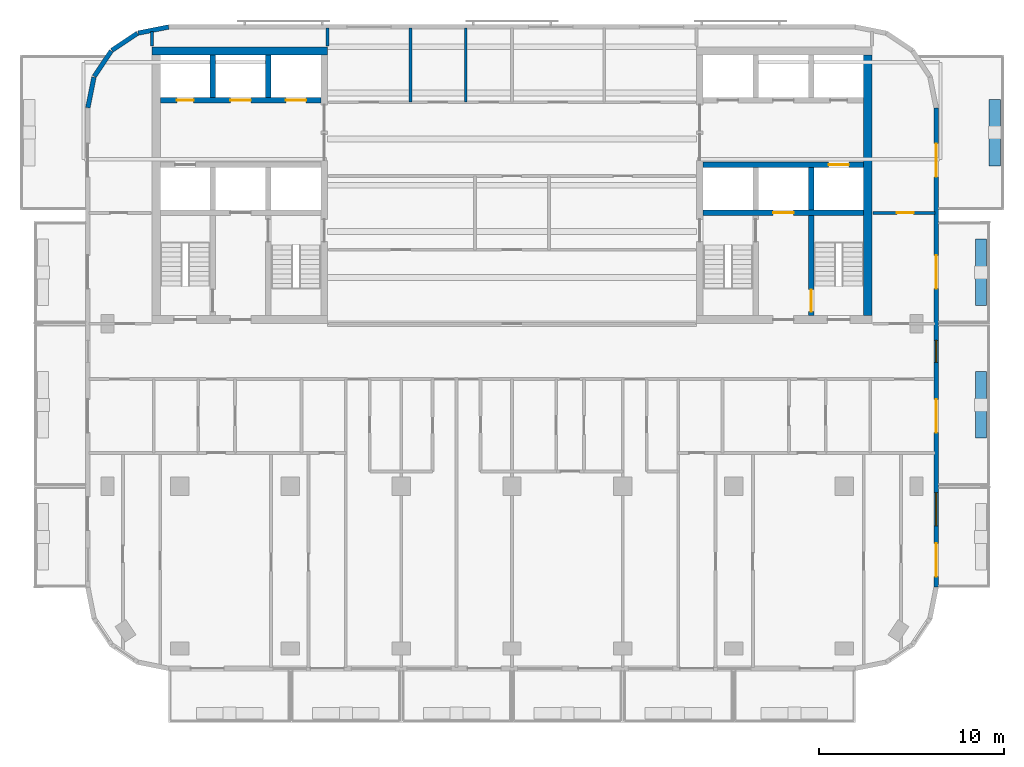
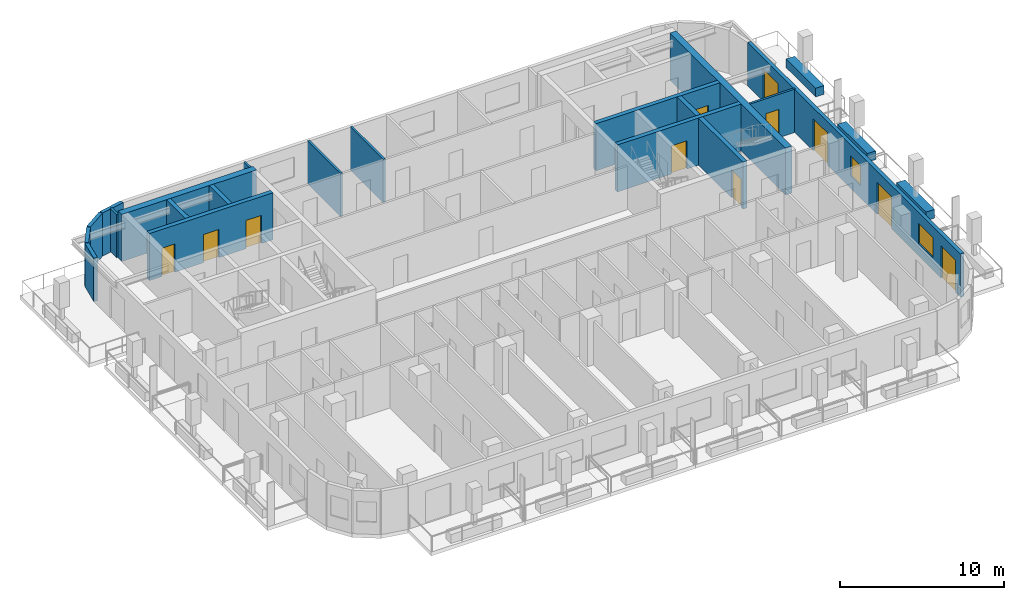
# One storey, part 6 of 11: 22 walls, 11 doors, 2 windows, 13 openings.
"""IFC4 building model written with IfcOpenShell, lengths in metres."""

from ifc_helpers import new_model, si_unit, direction, frame, frame_2d, origin, place, context, subcontext, project, spatial, rectangle, extrude, material, layer, layer_set, type_object, element, fill, save


model = new_model("IFC4")

# Units and contexts
model_context = context("Model", 3, precision=1e-05, world=origin(), true_north=direction((0.0, 1.0)))
body_context = subcontext(model_context, "Body", "Model", "MODEL_VIEW")
ifc_project = project(units=[si_unit("LENGTHUNIT", "METRE"), si_unit("AREAUNIT", "SQUARE_METRE"), si_unit("VOLUMEUNIT", "CUBIC_METRE"), si_unit("PLANEANGLEUNIT", "RADIAN"), si_unit("MASSUNIT", "GRAM", prefix="KILO")], contexts=[model_context])

# Site, building, storey
site_placement = place(None, origin())
site = spatial("IfcSite", under=ifc_project, at=site_placement, CompositionType="ELEMENT")
building_placement = place(site_placement, origin())
building = spatial("IfcBuilding", under=site, at=building_placement, Name="Torana Hotel and Residences", CompositionType="ELEMENT")
storey_placement = place(building_placement, frame((0.0, 0.0, 270.10009765625)))
storey = spatial("IfcBuildingStorey", under=building, at=storey_placement, Name="L71", CompositionType="ELEMENT", Elevation=270.10009765625)

# Wall, openings, doors
ifc_material_1 = material(Name="Concrete C60/75", Category="concrete")
ifc_layer_1 = layer(ifc_material_1, 0.300048828125)
ifc_layer_set_1 = layer_set([ifc_layer_1], Name="CORE WALL 300 C60/75")
wall_type_1 = type_object("IfcWallType", Name="CORE WALL 300 C60/75", PredefinedType="SHEAR", material=ifc_layer_set_1)
wall_1_placement = place(storey_placement, frame((-19.050048828125, -2.89990234375, 0.0), z_axis=(0.0, 0.0, 1.0), x_axis=(1.0, 0.0, 0.0)))
wall_1 = element("IfcWall", 1, at=wall_1_placement, inside=storey, type_object=wall_type_1, Name="Core wall W row-N", PredefinedType="SHEAR", context=body_context, shape_type="SweptSolid", body=[
    extrude(rectangle(XDim=8.699951171875, YDim=0.300048828125, at=frame_2d((4.35009765625, 0.0))), origin(), (0.0, 0.0, 1.0), 3.5),
])
opening_1_placement = place(wall_1_placement, frame((6.800048828125, 0.0, 0.0)))
opening_1 = element("IfcOpeningElement", 2, at=opening_1_placement, cuts=wall_1, Name="Opening LD", PredefinedType="OPENING", context=body_context, shape_type="SweptSolid", body=[
    extrude(rectangle(XDim=1.10009765625, YDim=2.10009765625, at=frame_2d((0.550048828125, 1.050048828125))), frame((0.0, 0.159912109375, 0.0), z_axis=(0.0, -1.0, 0.0), x_axis=(1.0, 0.0, 0.0)), (0.0, 0.0, 1.0), 0.320068359375),
])
opening_2_placement = place(wall_1_placement, frame((3.800048828125, 0.0, 0.0)))
opening_2 = element("IfcOpeningElement", 3, at=opening_2_placement, cuts=wall_1, Name="Opening LD", PredefinedType="OPENING", context=body_context, shape_type="SweptSolid", body=[
    extrude(rectangle(XDim=1.10009765625, YDim=2.10009765625, at=frame_2d((0.550048828125, 1.050048828125))), frame((0.0, 0.159912109375, 0.0), z_axis=(0.0, -1.0, 0.0), x_axis=(1.0, 0.0, 0.0)), (0.0, 0.0, 1.0), 0.320068359375),
])
opening_3_placement = place(wall_1_placement, frame((0.89990234375, 0.0, 0.0)))
opening_3 = element("IfcOpeningElement", 4, at=opening_3_placement, cuts=wall_1, Name="Opening L71-06", PredefinedType="OPENING", context=body_context, shape_type="SweptSolid", body=[
    extrude(rectangle(XDim=0.89990234375, YDim=2.10009765625, at=frame_2d((0.449951171875, 1.050048828125))), frame((0.0, 0.159912109375, 0.0), z_axis=(0.0, -1.0, 0.0), x_axis=(1.0, 0.0, 0.0)), (0.0, 0.0, 1.0), 0.320068359375),
])
ifc_material_2 = material(Name="Stainless steel 316", Category="steel")
door_type_1 = type_object("IfcDoorType", Name="LIFT LANDING DOOR LD 1100x2100", OperationType="DOUBLE_DOOR_SLIDING", PredefinedType="USERDEFINED", material=ifc_material_2)
door_1_placement = place(opening_1_placement, origin())
door_1 = element("IfcDoor", 5, at=door_1_placement, inside=storey, type_object=door_type_1, Name="Lift landing door H1 L71", ObjectType="LIFT LANDING DOOR", OperationType="DOUBLE_DOOR_SLIDING", OverallHeight=2.10009765625, OverallWidth=1.10009765625, PredefinedType="USERDEFINED", context=body_context, shape_type="SweptSolid", body=[
    extrude(rectangle(XDim=1.10009765625, YDim=2.10009765625, at=frame_2d((0.550048828125, 1.050048828125))), frame((0.0, 0.02490234375, 0.0), z_axis=(0.0, -1.0, 0.0), x_axis=(1.0, 0.0, 0.0)), (0.0, 0.0, 1.0), 0.050048828125),
])
fill(opening_1, door_1)
door_2_placement = place(opening_2_placement, origin())
door_2 = element("IfcDoor", 6, at=door_2_placement, inside=storey, type_object=door_type_1, Name="Lift landing door H2 L71", ObjectType="LIFT LANDING DOOR", OperationType="DOUBLE_DOOR_SLIDING", OverallHeight=2.10009765625, OverallWidth=1.10009765625, PredefinedType="USERDEFINED", context=body_context, shape_type="SweptSolid", body=[
    extrude(rectangle(XDim=1.10009765625, YDim=2.10009765625, at=frame_2d((0.550048828125, 1.050048828125))), frame((0.0, 0.02490234375, 0.0), z_axis=(0.0, -1.0, 0.0), x_axis=(1.0, 0.0, 0.0)), (0.0, 0.0, 1.0), 0.050048828125),
])
fill(opening_2, door_2)
ifc_material_3 = material(Name="Steel S235", Category="steel")
door_type_2 = type_object("IfcDoorType", Name="RISER ACCESS DOOR D5 900x2100", OperationType="SINGLE_SWING_LEFT", PredefinedType="DOOR", material=ifc_material_3)
door_3_placement = place(opening_3_placement, origin())
door_3 = element("IfcDoor", 7, at=door_3_placement, inside=storey, type_object=door_type_2, Name="N2 door L71", OperationType="SINGLE_SWING_RIGHT", OverallHeight=2.10009765625, OverallWidth=0.89990234375, PredefinedType="DOOR", context=body_context, shape_type="SweptSolid", body=[
    extrude(rectangle(XDim=0.89990234375, YDim=2.10009765625, at=frame_2d((0.449951171875, 1.050048828125))), frame((0.0, 0.02490234375, 0.0), z_axis=(0.0, -1.0, 0.0), x_axis=(1.0, 0.0, 0.0)), (0.0, 0.0, 1.0), 0.050048828125),
])
fill(opening_3, door_3)

# Walls
for number, where, z_axis, x_axis, name in (
    (8, (-13.199951171875, -2.75, 0.0), (0.0, 0.0, 1.0), (0.0, 1.0, 0.0), "Core wall W x3.05-N"),
    (9, (-16.199951171875, -2.75, 0.0), (0.0, 0.0, 1.0), (0.0, 1.0, 0.0), "Core wall W x6.05-N"),
):
    element("IfcWall", number, at=place(storey_placement, frame(where, z_axis=z_axis, x_axis=x_axis)), inside=storey, type_object=wall_type_1, Name=name, PredefinedType="SHEAR", context=body_context, shape_type="SweptSolid", body=[
        extrude(rectangle(XDim=2.300048828125, YDim=0.300048828125, at=frame_2d((1.14990234375, 0.0))), origin(), (0.0, 0.0, 1.0), 3.5),
    ])

# Wall, opening, door
wall_2_placement = place(storey_placement, frame((10.35009765625, -6.39990234375, 0.0), z_axis=(0.0, 0.0, 1.0), x_axis=(1.0, 0.0, 0.0)))
wall_2 = element("IfcWall", 10, at=wall_2_placement, inside=storey, type_object=wall_type_1, Name="Core wall E row-S", PredefinedType="SHEAR", context=body_context, shape_type="SweptSolid", body=[
    extrude(rectangle(XDim=8.699951171875, YDim=0.300048828125, at=frame_2d((4.35009765625, 0.0))), origin(), (0.0, 0.0, 1.0), 3.5),
])
opening_4_placement = place(wall_2_placement, frame((6.800048828125, 0.0, 0.0)))
opening_4 = element("IfcOpeningElement", 11, at=opening_4_placement, cuts=wall_2, Name="Opening LD", PredefinedType="OPENING", context=body_context, shape_type="SweptSolid", body=[
    extrude(rectangle(XDim=1.10009765625, YDim=2.10009765625, at=frame_2d((0.550048828125, 1.050048828125))), frame((0.0, 0.159912109375, 0.0), z_axis=(0.0, -1.0, 0.0), x_axis=(1.0, 0.0, 0.0)), (0.0, 0.0, 1.0), 0.320068359375),
])
door_4_placement = place(opening_4_placement, origin())
door_4 = element("IfcDoor", 12, at=door_4_placement, inside=storey, type_object=door_type_1, Name="Lift landing door SV2 L71", ObjectType="LIFT LANDING DOOR", OperationType="DOUBLE_DOOR_SLIDING", OverallHeight=2.10009765625, OverallWidth=1.10009765625, PredefinedType="USERDEFINED", context=body_context, shape_type="SweptSolid", body=[
    extrude(rectangle(XDim=1.10009765625, YDim=2.10009765625, at=frame_2d((0.550048828125, 1.050048828125))), frame((0.0, 0.02490234375, 0.0), z_axis=(0.0, -1.0, 0.0), x_axis=(1.0, 0.0, 0.0)), (0.0, 0.0, 1.0), 0.050048828125),
])
fill(opening_4, door_4)

wall_3_placement = place(storey_placement, frame((10.35009765625, -9.0, 0.0), z_axis=(0.0, 0.0, 1.0), x_axis=(1.0, 0.0, 0.0)))
wall_3 = element("IfcWall", 13, at=wall_3_placement, inside=storey, type_object=wall_type_1, Name="Core wall E band", PredefinedType="SHEAR", context=body_context, shape_type="SweptSolid", body=[
    extrude(rectangle(XDim=8.699951171875, YDim=0.300048828125, at=frame_2d((4.35009765625, 0.0))), origin(), (0.0, 0.0, 1.0), 3.5),
])
opening_5_placement = place(wall_3_placement, frame((3.800048828125, 0.0, 0.0)))
opening_5 = element("IfcOpeningElement", 14, at=opening_5_placement, cuts=wall_3, Name="Opening LD", PredefinedType="OPENING", context=body_context, shape_type="SweptSolid", body=[
    extrude(rectangle(XDim=1.10009765625, YDim=2.10009765625, at=frame_2d((0.550048828125, 1.050048828125))), frame((0.0, 0.159912109375, 0.0), z_axis=(0.0, -1.0, 0.0), x_axis=(1.0, 0.0, 0.0)), (0.0, 0.0, 1.0), 0.320068359375),
])
door_5_placement = place(opening_5_placement, origin())
door_5 = element("IfcDoor", 15, at=door_5_placement, inside=storey, type_object=door_type_1, Name="Lift landing door FF2 L71", ObjectType="LIFT LANDING DOOR", OperationType="DOUBLE_DOOR_SLIDING", OverallHeight=2.10009765625, OverallWidth=1.10009765625, PredefinedType="USERDEFINED", context=body_context, shape_type="SweptSolid", body=[
    extrude(rectangle(XDim=1.10009765625, YDim=2.10009765625, at=frame_2d((0.550048828125, 1.050048828125))), frame((0.0, 0.02490234375, 0.0), z_axis=(0.0, -1.0, 0.0), x_axis=(1.0, 0.0, 0.0)), (0.0, 0.0, 1.0), 0.050048828125),
])
fill(opening_5, door_5)

# Wall
wall_4_placement = place(storey_placement, frame((16.199951171875, -8.85009765625, 0.0), z_axis=(0.0, 0.0, 1.0), x_axis=(0.0, 1.0, 0.0)))
element("IfcWall", 16, at=wall_4_placement, inside=storey, type_object=wall_type_1, Name="Core wall E x6.05-S", PredefinedType="SHEAR", context=body_context, shape_type="SweptSolid", body=[
    extrude(rectangle(XDim=2.300048828125, YDim=0.300048828125, at=frame_2d((1.14990234375, 0.0))), origin(), (0.0, 0.0, 1.0), 3.5),
])

# Wall, opening, door
wall_5_placement = place(storey_placement, frame((16.199951171875, -14.550048828125, 0.0), z_axis=(0.0, 0.0, 1.0), x_axis=(0.0, 1.0, 0.0)))
wall_5 = element("IfcWall", 17, at=wall_5_placement, inside=storey, type_object=wall_type_1, Name="Core wall E x6.05-band", PredefinedType="SHEAR", context=body_context, shape_type="SweptSolid", body=[
    extrude(rectangle(XDim=5.400146484375, YDim=0.300048828125, at=frame_2d((2.7001953125, 0.0))), origin(), (0.0, 0.0, 1.0), 3.5),
])
opening_6_placement = place(wall_5_placement, frame((0.199951171875, 0.0, 0.0)))
opening_6 = element("IfcOpeningElement", 18, at=opening_6_placement, cuts=wall_5, Name="Opening L71-16", PredefinedType="OPENING", context=body_context, shape_type="SweptSolid", body=[
    extrude(rectangle(XDim=1.199951171875, YDim=2.10009765625, at=frame_2d((0.60009765625, 1.050048828125))), frame((0.0, 0.159912109375, 0.0), z_axis=(0.0, -1.0, 0.0), x_axis=(1.0, 0.0, 0.0)), (0.0, 0.0, 1.0), 0.320068359375),
])
ifc_material_4 = material(Name="Steel S235", Category="steel")
door_type_3 = type_object("IfcDoorType", Name="STAIR FIRE DOOR D3 1200x2100", OperationType="SINGLE_SWING_LEFT", PredefinedType="DOOR", material=ifc_material_4)
door_6_placement = place(opening_6_placement, frame((0.60009765625, 0.0, 0.0), z_axis=(0.0, 0.0, 1.0), x_axis=(-1.0, 0.0, 0.0)))
door_6 = element("IfcDoor", 19, at=door_6_placement, inside=storey, type_object=door_type_3, Name="Stair-B-lobby door L71", OperationType="SINGLE_SWING_LEFT", OverallHeight=2.10009765625, OverallWidth=1.199951171875, PredefinedType="DOOR", context=body_context, shape_type="SweptSolid", body=[
    extrude(rectangle(XDim=1.199951171875, YDim=2.10009765625, at=frame_2d((0.0, 1.050048828125))), frame((0.0, -0.02490234375, 0.0), z_axis=(0.0, 1.0, 0.0), x_axis=(-1.0, 0.0, 0.0)), (0.0, 0.0, 1.0), 0.050048828125),
])
fill(opening_6, door_6)

# Walls
ifc_material_5 = material(Name="Concrete C60/75", Category="concrete")
ifc_layer_2 = layer(ifc_material_5, 0.449951171875)
ifc_layer_set_2 = layer_set([ifc_layer_2], Name="CORE WALL 450 C60/75")
wall_type_2 = type_object("IfcWallType", Name="CORE WALL 450 C60/75", PredefinedType="SHEAR", material=ifc_layer_set_2)
wall_6_placement = place(storey_placement, frame((-19.5, -0.22509765625, 0.0), z_axis=(0.0, 0.0, 1.0), x_axis=(1.0, 0.0, 0.0)))
element("IfcWall", 20, at=wall_6_placement, inside=storey, type_object=wall_type_2, Name="Core wall W rear", PredefinedType="SHEAR", context=body_context, shape_type="SweptSolid", body=[
    extrude(rectangle(XDim=9.5, YDim=0.449951171875, at=frame_2d((4.75, 0.0))), origin(), (0.0, 0.0, 1.0), 3.5),
])
wall_7_placement = place(storey_placement, frame((19.27490234375, -14.550048828125, 0.0), z_axis=(0.0, 0.0, 1.0), x_axis=(0.0, 1.0, 0.0)))
element("IfcWall", 21, at=wall_7_placement, inside=storey, type_object=wall_type_2, Name="Core wall E outer", PredefinedType="SHEAR", context=body_context, shape_type="SweptSolid", body=[
    extrude(rectangle(XDim=14.10009765625, YDim=0.449951171875, at=frame_2d((7.050048828125, 0.0))), origin(), (0.0, 0.0, 1.0), 3.5),
])
ifc_material_6 = material(Name="Black aluminium composite panel", Category="aluminium")
ifc_layer_3 = layer(ifc_material_6, 0.00390625, Name="Cladding", Category="cladding")
ifc_material_7 = material(Name="Ventilated air cavity")
ifc_layer_4 = layer(ifc_material_7, 0.0400390625, Name="Ventilated cavity", Category="cavity")
ifc_material_8 = material(Name="Mineral wool insulation")
ifc_layer_5 = layer(ifc_material_8, 0.090087890625, Name="Insulation", Category="insulation")
ifc_material_9 = material(Name="Steel S280GD", Category="steel")
ifc_layer_6 = layer(ifc_material_9, 0.092041015625, Name="Steel stud frame", Category="structure")
ifc_material_10 = material(Name="Fire rated plasterboard")
ifc_layer_7 = layer(ifc_material_10, 0.011962890625, Name="Inner board", Category="finish")
ifc_layer_8 = layer(ifc_material_10, 0.011962890625, Name="Second board", Category="finish")
ifc_layer_set_3 = layer_set([ifc_layer_3, ifc_layer_4, ifc_layer_5, ifc_layer_6, ifc_layer_7, ifc_layer_8], Name="EW1 EXTERNAL WALL BLACK METAL CLAD 250")
wall_type_3 = type_object("IfcWallType", Name="EW1 EXTERNAL WALL BLACK METAL CLAD 250", PredefinedType="SOLIDWALL", material=ifc_layer_set_3)
wall_8_placement = place(storey_placement, frame((-18.599853515625, 1.072509765625, 0.0), z_axis=(0.0, 0.0, 1.0), x_axis=(-0.980797896849, -0.195026884138, 0.0)))
element("IfcWall", 22, at=wall_8_placement, inside=storey, type_object=wall_type_3, Name="External wall L71 e0.5", PredefinedType="SOLIDWALL", context=body_context, shape_type="SweptSolid", body=[
    extrude(rectangle(XDim=1.68115234375, YDim=0.25, at=frame_2d((0.840576171875, 0.0))), origin(), (0.0, 0.0, 1.0), 3.219970703125),
])
for number, where, z_axis, x_axis, name in (
    (23, (-20.2939453125, 0.725830078125, 0.0), (0.0, 0.0, 1.0), (-0.831482937015, -0.55555029066, 0.0), "External wall L71 e0.6"),
    (24, (-21.705810546875, -0.228759765625, 0.0), (0.0, 0.0, 1.0), (-0.55555029066, -0.831482937015, 0.0), "External wall L71 e0.7"),
):
    element("IfcWall", number, at=place(storey_placement, frame(where, z_axis=z_axis, x_axis=x_axis)), inside=storey, type_object=wall_type_3, Name=name, PredefinedType="SOLIDWALL", context=body_context, shape_type="SweptSolid", body=[
        extrude(rectangle(XDim=1.65625, YDim=0.25, at=frame_2d((0.828125, 0.0))), origin(), (0.0, 0.0, 1.0), 3.219970703125),
    ])
wall_9_placement = place(storey_placement, frame((-22.64453125, -1.651123046875, 0.0), z_axis=(0.0, 0.0, 1.0), x_axis=(-0.19513878023, -0.980775640221, 0.0)))
element("IfcWall", 25, at=wall_9_placement, inside=storey, type_object=wall_type_3, Name="External wall L71 e0.8", PredefinedType="SOLIDWALL", context=body_context, shape_type="SweptSolid", body=[
    extrude(rectangle(XDim=1.681396484375, YDim=0.25, at=frame_2d((0.8408203125, 0.0))), origin(), (0.0, 0.0, 1.0), 3.219970703125),
])

# Wall, openings, doors, windows
wall_10_placement = place(storey_placement, frame((22.97509765625, -29.275390625, 0.0), z_axis=(0.0, 0.0, 1.0), x_axis=(0.0, 1.0, 0.0)))
wall_10 = element("IfcWall", 26, at=wall_10_placement, inside=storey, type_object=wall_type_3, Name="External wall L71 e0.19", PredefinedType="SOLIDWALL", context=body_context, shape_type="SweptSolid", body=[
    extrude(rectangle(XDim=25.95068359375, YDim=0.25, at=frame_2d((12.975341796875, 0.0))), origin(), (0.0, 0.0, 1.0), 3.219970703125),
])
opening_7_placement = place(wall_10_placement, frame((0.575439453125, 0.0, 0.0)))
opening_7 = element("IfcOpeningElement", 27, at=opening_7_placement, cuts=wall_10, Name="Opening L71-E07", PredefinedType="OPENING", context=body_context, shape_type="SweptSolid", body=[
    extrude(rectangle(XDim=1.800048828125, YDim=2.39990234375, at=frame_2d((0.89990234375, 1.199951171875))), frame((0.0, 0.135009765625, 0.0), z_axis=(0.0, -1.0, 0.0), x_axis=(1.0, 0.0, 0.0)), (0.0, 0.0, 1.0), 0.27001953125),
])
opening_8_placement = place(wall_10_placement, frame((3.325439453125, 0.0, 0.89990234375)))
opening_8 = element("IfcOpeningElement", 28, at=opening_8_placement, cuts=wall_10, Name="Opening W4", PredefinedType="OPENING", context=body_context, shape_type="SweptSolid", body=[
    extrude(rectangle(XDim=1.800048828125, YDim=1.5, at=frame_2d((0.89990234375, 0.75))), frame((0.0, 0.135009765625, 0.0), z_axis=(0.0, -1.0, 0.0), x_axis=(1.0, 0.0, 0.0)), (0.0, 0.0, 1.0), 0.27001953125),
])
opening_9_placement = place(wall_10_placement, frame((8.37548828125, 0.0, 0.0)))
opening_9 = element("IfcOpeningElement", 29, at=opening_9_placement, cuts=wall_10, Name="Opening L71-E08", PredefinedType="OPENING", context=body_context, shape_type="SweptSolid", body=[
    extrude(rectangle(XDim=1.800048828125, YDim=2.39990234375, at=frame_2d((0.89990234375, 1.199951171875))), frame((0.0, 0.135009765625, 0.0), z_axis=(0.0, -1.0, 0.0), x_axis=(1.0, 0.0, 0.0)), (0.0, 0.0, 1.0), 0.27001953125),
])
opening_10_placement = place(wall_10_placement, frame((12.17529296875, 0.0, 0.89990234375)))
opening_10 = element("IfcOpeningElement", 30, at=opening_10_placement, cuts=wall_10, Name="Opening W5", PredefinedType="OPENING", context=body_context, shape_type="SweptSolid", body=[
    extrude(rectangle(XDim=1.199951171875, YDim=1.5, at=frame_2d((0.60009765625, 0.75))), frame((0.0, 0.135009765625, 0.0), z_axis=(0.0, -1.0, 0.0), x_axis=(1.0, 0.0, 0.0)), (0.0, 0.0, 1.0), 0.27001953125),
])
opening_11_placement = place(wall_10_placement, frame((16.17529296875, 0.0, 0.0)))
opening_11 = element("IfcOpeningElement", 31, at=opening_11_placement, cuts=wall_10, Name="Opening L71-E09", PredefinedType="OPENING", context=body_context, shape_type="SweptSolid", body=[
    extrude(rectangle(XDim=1.800048828125, YDim=2.39990234375, at=frame_2d((0.89990234375, 1.199951171875))), frame((0.0, 0.135009765625, 0.0), z_axis=(0.0, -1.0, 0.0), x_axis=(1.0, 0.0, 0.0)), (0.0, 0.0, 1.0), 0.27001953125),
])
opening_12_placement = place(wall_10_placement, frame((22.225341796875, 0.0, 0.0)))
opening_12 = element("IfcOpeningElement", 32, at=opening_12_placement, cuts=wall_10, Name="Opening L71-E10", PredefinedType="OPENING", context=body_context, shape_type="SweptSolid", body=[
    extrude(rectangle(XDim=1.800048828125, YDim=2.39990234375, at=frame_2d((0.89990234375, 1.199951171875))), frame((0.0, 0.135009765625, 0.0), z_axis=(0.0, -1.0, 0.0), x_axis=(1.0, 0.0, 0.0)), (0.0, 0.0, 1.0), 0.27001953125),
])
ifc_material_11 = material(Name="Dark glass in black aluminium frame", Category="aluminium")
door_type_4 = type_object("IfcDoorType", Name="DB1 BALCONY DOOR 1800x2400", OperationType="DOUBLE_DOOR_SINGLE_SWING", PredefinedType="DOOR", material=ifc_material_11)
door_7_placement = place(opening_7_placement, origin())
door_7 = element("IfcDoor", 33, at=door_7_placement, inside=storey, type_object=door_type_4, Name="Balcony door L71", OperationType="DOUBLE_DOOR_SINGLE_SWING", OverallHeight=2.39990234375, OverallWidth=1.800048828125, PredefinedType="DOOR", context=body_context, shape_type="SweptSolid", body=[
    extrude(rectangle(XDim=1.800048828125, YDim=2.39990234375, at=frame_2d((0.89990234375, 1.199951171875))), frame((0.0, 0.02490234375, 0.0), z_axis=(0.0, -1.0, 0.0), x_axis=(1.0, 0.0, 0.0)), (0.0, 0.0, 1.0), 0.050048828125),
])
fill(opening_7, door_7)
door_8_placement = place(opening_9_placement, origin())
door_8 = element("IfcDoor", 34, at=door_8_placement, inside=storey, type_object=door_type_4, Name="Balcony door L71", OperationType="DOUBLE_DOOR_SINGLE_SWING", OverallHeight=2.39990234375, OverallWidth=1.800048828125, PredefinedType="DOOR", context=body_context, shape_type="SweptSolid", body=[
    extrude(rectangle(XDim=1.800048828125, YDim=2.39990234375, at=frame_2d((0.89990234375, 1.199951171875))), frame((0.0, 0.02490234375, 0.0), z_axis=(0.0, -1.0, 0.0), x_axis=(1.0, 0.0, 0.0)), (0.0, 0.0, 1.0), 0.050048828125),
])
fill(opening_9, door_8)
door_9_placement = place(opening_11_placement, origin())
door_9 = element("IfcDoor", 35, at=door_9_placement, inside=storey, type_object=door_type_4, Name="Balcony door L71", OperationType="DOUBLE_DOOR_SINGLE_SWING", OverallHeight=2.39990234375, OverallWidth=1.800048828125, PredefinedType="DOOR", context=body_context, shape_type="SweptSolid", body=[
    extrude(rectangle(XDim=1.800048828125, YDim=2.39990234375, at=frame_2d((0.89990234375, 1.199951171875))), frame((0.0, 0.02490234375, 0.0), z_axis=(0.0, -1.0, 0.0), x_axis=(1.0, 0.0, 0.0)), (0.0, 0.0, 1.0), 0.050048828125),
])
fill(opening_11, door_9)
door_10_placement = place(opening_12_placement, origin())
door_10 = element("IfcDoor", 36, at=door_10_placement, inside=storey, type_object=door_type_4, Name="Balcony door L71", OperationType="DOUBLE_DOOR_SINGLE_SWING", OverallHeight=2.39990234375, OverallWidth=1.800048828125, PredefinedType="DOOR", context=body_context, shape_type="SweptSolid", body=[
    extrude(rectangle(XDim=1.800048828125, YDim=2.39990234375, at=frame_2d((0.89990234375, 1.199951171875))), frame((0.0, 0.02490234375, 0.0), z_axis=(0.0, -1.0, 0.0), x_axis=(1.0, 0.0, 0.0)), (0.0, 0.0, 1.0), 0.050048828125),
])
fill(opening_12, door_10)
ifc_material_12 = material(Name="Dark glass in black aluminium frame", Category="aluminium")
window_type_1 = type_object("IfcWindowType", Name="W4 RESIDENCE WINDOW NARROW 1800x1500", PartitioningType="SINGLE_PANEL", PredefinedType="WINDOW", material=ifc_material_12)
window_1_placement = place(opening_8_placement, origin())
window_1 = element("IfcWindow", 37, at=window_1_placement, inside=storey, type_object=window_type_1, Name="Window L71", OverallHeight=1.5, OverallWidth=1.800048828125, PartitioningType="SINGLE_PANEL", PredefinedType="WINDOW", context=body_context, shape_type="SweptSolid", body=[
    extrude(rectangle(XDim=1.800048828125, YDim=1.5, at=frame_2d((0.89990234375, 0.75))), frame((0.0, 0.030029296875, 0.0), z_axis=(0.0, -1.0, 0.0), x_axis=(1.0, 0.0, 0.0)), (0.0, 0.0, 1.0), 0.06005859375),
])
fill(opening_8, window_1)
ifc_material_13 = material(Name="Dark glass in black aluminium frame", Category="aluminium")
window_type_2 = type_object("IfcWindowType", Name="W5 CORNER FACET WINDOW 1200x1500", PartitioningType="SINGLE_PANEL", PredefinedType="WINDOW", material=ifc_material_13)
window_2_placement = place(opening_10_placement, origin())
window_2 = element("IfcWindow", 38, at=window_2_placement, inside=storey, type_object=window_type_2, Name="Window L71", OverallHeight=1.5, OverallWidth=1.199951171875, PartitioningType="SINGLE_PANEL", PredefinedType="WINDOW", context=body_context, shape_type="SweptSolid", body=[
    extrude(rectangle(XDim=1.199951171875, YDim=1.5, at=frame_2d((0.60009765625, 0.75))), frame((0.0, 0.030029296875, 0.0), z_axis=(0.0, -1.0, 0.0), x_axis=(1.0, 0.0, 0.0)), (0.0, 0.0, 1.0), 0.06005859375),
])
fill(opening_10, window_2)

# Walls
ifc_material_14 = material(Name="Gypsum plasterboard")
ifc_layer_9 = layer(ifc_material_14, 0.012451171875, Name="Plasterboard", Category="finish")
ifc_layer_10 = layer(ifc_material_14, 0.012451171875, Name="Plasterboard", Category="finish")
ifc_layer_11 = layer(ifc_material_9, 0.10009765625, Name="Steel studs with mineral wool", Category="insulation")
ifc_layer_12 = layer(ifc_material_14, 0.012451171875, Name="Plasterboard", Category="finish")
ifc_layer_13 = layer(ifc_material_14, 0.012451171875, Name="Plasterboard", Category="finish")
ifc_layer_set_4 = layer_set([ifc_layer_9, ifc_layer_10, ifc_layer_11, ifc_layer_12, ifc_layer_13], Name="PARTITION 150 PLASTERBOARD")
wall_type_4 = type_object("IfcWallType", Name="PARTITION 150 PLASTERBOARD", PredefinedType="PARTITIONING", material=ifc_layer_set_4)
wall_11_placement = place(storey_placement, frame((-10.0, 0.050048828125, 0.0), z_axis=(0.0, 0.0, 1.0), x_axis=(0.0, 1.0, 0.0)))
element("IfcWall", 39, at=wall_11_placement, inside=storey, type_object=wall_type_4, Name="Partition L71", PredefinedType="PARTITIONING", context=body_context, shape_type="SweptSolid", body=[
    extrude(rectangle(XDim=0.969970703125, YDim=0.14990234375, at=frame_2d((0.48486328125, 0.0))), origin(), (0.0, 0.0, 1.0), 3.219970703125),
])
wall_12_placement = place(storey_placement, frame((-19.5, 0.050048828125, 0.0), z_axis=(0.0, 0.0, 1.0), x_axis=(0.0, 1.0, 0.0)))
element("IfcWall", 40, at=wall_12_placement, inside=storey, type_object=wall_type_4, Name="Partition L71", PredefinedType="PARTITIONING", context=body_context, shape_type="SweptSolid", body=[
    extrude(rectangle(XDim=0.787353515625, YDim=0.14990234375, at=frame_2d((0.3935546875, 0.0))), origin(), (0.0, 0.0, 1.0), 3.219970703125),
])

# Wall, opening, door
wall_13_placement = place(storey_placement, frame((19.550048828125, -9.0, 0.0), z_axis=(0.0, 0.0, 1.0), x_axis=(1.0, 0.0, 0.0)))
wall_13 = element("IfcWall", 41, at=wall_13_placement, inside=storey, type_object=wall_type_4, Name="Partition L71", PredefinedType="PARTITIONING", context=body_context, shape_type="SweptSolid", body=[
    extrude(rectangle(XDim=3.369873046875, YDim=0.14990234375, at=frame_2d((1.68505859375, 0.0))), origin(), (0.0, 0.0, 1.0), 3.219970703125),
])
opening_13_placement = place(wall_13_placement, frame((1.300048828125, 0.0, 0.0)))
opening_13 = element("IfcOpeningElement", 42, at=opening_13_placement, cuts=wall_13, Name="Opening L71-62", PredefinedType="OPENING", context=body_context, shape_type="SweptSolid", body=[
    extrude(rectangle(XDim=0.89990234375, YDim=2.10009765625, at=frame_2d((0.449951171875, 1.050048828125))), frame((0.0, 0.0849609375, 0.0), z_axis=(0.0, -1.0, 0.0), x_axis=(1.0, 0.0, 0.0)), (0.0, 0.0, 1.0), 0.169921875),
])
ifc_material_15 = material(Name="Timber door, oiled ash", Category="wood")
door_type_5 = type_object("IfcDoorType", Name="ROOM DOOR D7 900x2100", OperationType="SINGLE_SWING_LEFT", PredefinedType="DOOR", material=ifc_material_15)
door_11_placement = place(opening_13_placement, origin())
door_11 = element("IfcDoor", 43, at=door_11_placement, inside=storey, type_object=door_type_5, Name="Door L71", OperationType="SINGLE_SWING_LEFT", OverallHeight=2.10009765625, OverallWidth=0.89990234375, PredefinedType="DOOR", context=body_context, shape_type="SweptSolid", body=[
    extrude(rectangle(XDim=0.89990234375, YDim=2.10009765625, at=frame_2d((0.449951171875, 1.050048828125))), frame((0.0, 0.02490234375, 0.0), z_axis=(0.0, -1.0, 0.0), x_axis=(1.0, 0.0, 0.0)), (0.0, 0.0, 1.0), 0.050048828125),
])
fill(opening_13, door_11)

# Walls
ifc_material_16 = material(Name="Concrete C40/50 precast", Category="concrete")
ifc_layer_14 = layer(ifc_material_16, 0.10009765625, Name="Planter shell", Category="structure")
ifc_material_17 = material(Name="Root resistant membrane")
ifc_layer_15 = layer(ifc_material_17, 0.00390625, Name="Waterproofing membrane", Category="membrane")
ifc_material_18 = material(Name="Drainage board with filter fleece")
ifc_layer_16 = layer(ifc_material_18, 0.02001953125, Name="Drainage board", Category="drainage")
ifc_material_19 = material(Name="Growing medium")
ifc_layer_17 = layer(ifc_material_19, 0.47607421875, Name="Planting substrate", Category="soil")
ifc_layer_set_5 = layer_set([ifc_layer_14, ifc_layer_15, ifc_layer_16, ifc_layer_17], Name="PL1 BALCONY PLANTER 600")
wall_type_5 = type_object("IfcWallType", Name="PL1 BALCONY PLANTER 600", PredefinedType="USERDEFINED", material=ifc_layer_set_5)
for number, where, z_axis, x_axis, name in (
    (44, (25.39990234375, -17.60009765625, 0.0), (0.0, 0.0, 1.0), (0.0, -1.0, 0.0), "Planter 12"),
    (45, (25.39990234375, -10.425048828125, 0.0), (0.0, 0.0, 1.0), (0.0, -1.0, 0.0), "Planter 13"),
    (46, (26.14990234375, -2.85009765625, 0.0), (0.0, 0.0, 1.0), (0.0, -1.0, 0.0), "Planter 14"),
):
    element("IfcWall", number, at=place(storey_placement, frame(where, z_axis=z_axis, x_axis=x_axis)), inside=storey, type_object=wall_type_5, Name=name, ObjectType="PLANTER", PredefinedType="USERDEFINED", context=body_context, shape_type="SweptSolid", body=[
        extrude(rectangle(XDim=3.599853515625, YDim=0.60009765625, at=frame_2d((1.7998046875, 0.0))), origin(), (0.0, 0.0, 1.0), 0.64990234375),
    ])
ifc_material_20 = material(Name="Ceramic tile on adhesive")
ifc_layer_18 = layer(ifc_material_20, 0.010009765625, Name="Wall tile", Category="finish")
ifc_material_21 = material(Name="Cement render")
ifc_layer_19 = layer(ifc_material_21, 0.010009765625, Name="Render", Category="finish")
ifc_material_22 = material(Name="Concrete blockwork", Category="masonry")
ifc_layer_20 = layer(ifc_material_22, 0.110107421875, Name="Blockwork", Category="structure")
ifc_layer_21 = layer(ifc_material_21, 0.010009765625, Name="Render", Category="finish")
ifc_layer_22 = layer(ifc_material_20, 0.010009765625, Name="Wall tile", Category="finish")
ifc_layer_set_6 = layer_set([ifc_layer_18, ifc_layer_19, ifc_layer_20, ifc_layer_21, ifc_layer_22], Name="WC PARTITION 150")
wall_type_6 = type_object("IfcWallType", Name="WC PARTITION 150", PredefinedType="PLUMBINGWALL", material=ifc_layer_set_6)
for number, where, z_axis, x_axis, name in (
    (47, (-2.5, -3.0, 0.0), (0.0, 0.0, 1.0), (0.0, 1.0, 0.0), "Partition L71"),
    (48, (-5.5, -3.0, 0.0), (0.0, 0.0, 1.0), (0.0, 1.0, 0.0), "Partition L71"),
):
    element("IfcWall", number, at=place(storey_placement, frame(where, z_axis=z_axis, x_axis=x_axis)), inside=storey, type_object=wall_type_6, Name=name, PredefinedType="PLUMBINGWALL", context=body_context, shape_type="SweptSolid", body=[
        extrude(rectangle(XDim=4.02001953125, YDim=0.14990234375, at=frame_2d((2.010009765625, 0.0))), origin(), (0.0, 0.0, 1.0), 3.219970703125),
    ])

save(model, "model.ifc")
